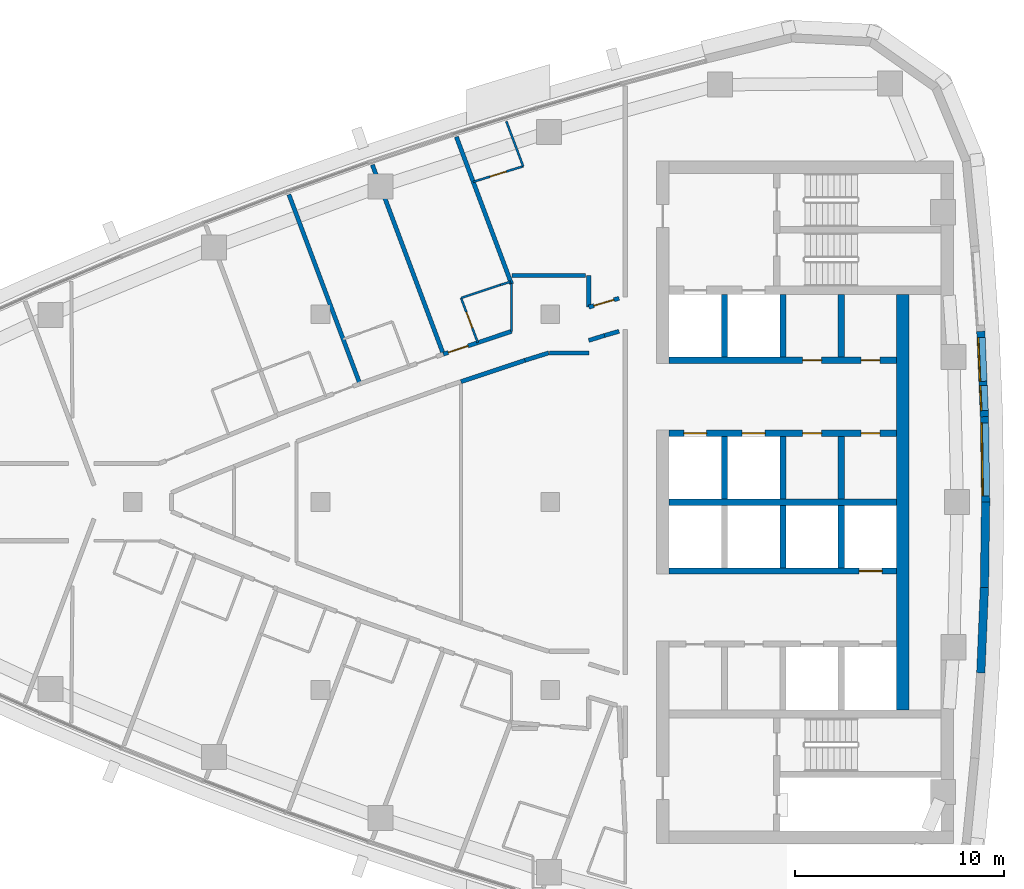
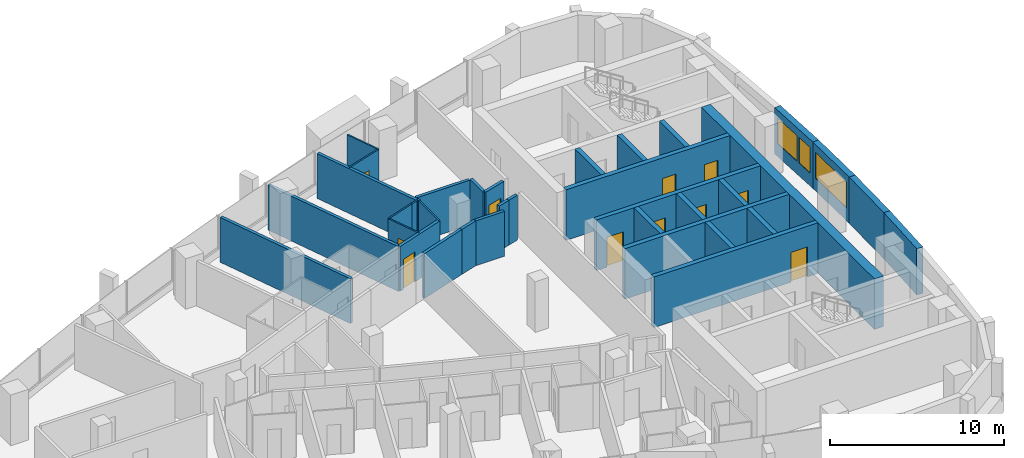
# One storey, part 11 of 16: 35 walls, 11 doors, 3 windows, 14 openings.
"""IFC4 building model written with IfcOpenShell, lengths in metres."""

from ifc_helpers import new_model, si_unit, direction, frame, frame_2d, origin, place, context, subcontext, project, spatial, polyline, rectangle, outline, extrude, material, layer, layer_set, type_object, element, fill, save


model = new_model("IFC4")

# Units and contexts
model_context = context("Model", 3, precision=1e-05, world=origin(), true_north=direction((0.0, 1.0)))
body_context = subcontext(model_context, "Body", "Model", "MODEL_VIEW")
ifc_project = project(units=[si_unit("LENGTHUNIT", "METRE"), si_unit("AREAUNIT", "SQUARE_METRE"), si_unit("VOLUMEUNIT", "CUBIC_METRE"), si_unit("PLANEANGLEUNIT", "RADIAN"), si_unit("MASSUNIT", "GRAM", prefix="KILO")], contexts=[model_context])

# Site, building, storey
site_placement = place(None, origin())
site = spatial("IfcSite", under=ifc_project, at=site_placement, CompositionType="ELEMENT")
building_placement = place(site_placement, origin())
building = spatial("IfcBuilding", under=site, at=building_placement, Name="Ostrand Prow Hotel Tower", CompositionType="ELEMENT")
storey_placement = place(building_placement, frame((0.0, 0.0, 252.75)))
storey = spatial("IfcBuildingStorey", under=building, at=storey_placement, Name="L64", CompositionType="ELEMENT", Elevation=252.75)

# Wall
ifc_material_1 = material(Name="Concrete C50/60", Category="concrete")
ifc_layer_1 = layer(ifc_material_1, 0.300048828125)
ifc_layer_set_1 = layer_set([ifc_layer_1], Name="Concrete C50/60")
wall_type_1 = type_object("IfcWallType", Name="Core wall 300 C50/60", PredefinedType="SHEAR", material=ifc_layer_set_1)
wall_1_placement = place(storey_placement, frame((50.699951171875, 0.0, 0.0), z_axis=(0.0, 0.0, 1.0), x_axis=(1.0, 0.0, 0.0)))
element("IfcWall", 1, at=wall_1_placement, inside=storey, type_object=wall_type_1, Name="Core wall PW-C", PredefinedType="SHEAR", context=body_context, shape_type="SweptSolid", body=[
    extrude(rectangle(XDim=10.900146484375, YDim=0.300048828125, at=frame_2d((5.4501953125, 0.0))), origin(), (0.0, 0.0, 1.0), 3.550048828125),
])

# Wall, openings, doors
wall_2_placement = place(storey_placement, frame((50.699951171875, 3.300048828125, 0.0), z_axis=(0.0, 0.0, 1.0), x_axis=(1.0, 0.0, 0.0)))
wall_2 = element("IfcWall", 2, at=wall_2_placement, inside=storey, type_object=wall_type_1, Name="Core wall PW-L1-N", PredefinedType="SHEAR", context=body_context, shape_type="SweptSolid", body=[
    extrude(rectangle(XDim=10.900146484375, YDim=0.300048828125, at=frame_2d((5.4501953125, 0.0))), origin(), (0.0, 0.0, 1.0), 3.550048828125),
])
opening_1_placement = place(wall_2_placement, frame((0.699951171875, 0.0, 0.0)))
opening_1 = element("IfcOpeningElement", 3, at=opening_1_placement, cuts=wall_2, Name="Opening LD", PredefinedType="OPENING", context=body_context, shape_type="SweptSolid", body=[
    extrude(rectangle(XDim=1.10009765625, YDim=2.10009765625, at=frame_2d((0.550048828125, 1.050048828125))), frame((0.0, 0.159912109375, 0.0), z_axis=(0.0, -1.0, 0.0), x_axis=(1.0, 0.0, 0.0)), (0.0, 0.0, 1.0), 0.320068359375),
])
opening_2_placement = place(wall_2_placement, frame((3.5, 0.0, 0.0)))
opening_2 = element("IfcOpeningElement", 4, at=opening_2_placement, cuts=wall_2, Name="Opening LD", PredefinedType="OPENING", context=body_context, shape_type="SweptSolid", body=[
    extrude(rectangle(XDim=1.10009765625, YDim=2.10009765625, at=frame_2d((0.550048828125, 1.050048828125))), frame((0.0, 0.159912109375, 0.0), z_axis=(0.0, -1.0, 0.0), x_axis=(1.0, 0.0, 0.0)), (0.0, 0.0, 1.0), 0.320068359375),
])
opening_3_placement = place(wall_2_placement, frame((6.39990234375, 0.0, 0.0)))
opening_3 = element("IfcOpeningElement", 5, at=opening_3_placement, cuts=wall_2, Name="Opening FD2", PredefinedType="OPENING", context=body_context, shape_type="SweptSolid", body=[
    extrude(rectangle(XDim=0.89990234375, YDim=2.10009765625, at=frame_2d((0.449951171875, 1.050048828125))), frame((0.0, 0.159912109375, 0.0), z_axis=(0.0, -1.0, 0.0), x_axis=(1.0, 0.0, 0.0)), (0.0, 0.0, 1.0), 0.320068359375),
])
opening_4_placement = place(wall_2_placement, frame((9.199951171875, 0.0, 0.0)))
opening_4 = element("IfcOpeningElement", 6, at=opening_4_placement, cuts=wall_2, Name="Opening FD2", PredefinedType="OPENING", context=body_context, shape_type="SweptSolid", body=[
    extrude(rectangle(XDim=0.89990234375, YDim=2.10009765625, at=frame_2d((0.449951171875, 1.050048828125))), frame((0.0, 0.159912109375, 0.0), z_axis=(0.0, -1.0, 0.0), x_axis=(1.0, 0.0, 0.0)), (0.0, 0.0, 1.0), 0.320068359375),
])
ifc_material_2 = material(Name="Steel fire door", Category="steel")
door_type_1 = type_object("IfcDoorType", Name="Fire door 900 EI120", OperationType="SINGLE_SWING_LEFT", PredefinedType="DOOR", material=ifc_material_2)
door_1_placement = place(opening_3_placement, origin())
door_1 = element("IfcDoor", 7, at=door_1_placement, inside=storey, type_object=door_type_1, Name="DOOR", OperationType="SINGLE_SWING_LEFT", OverallHeight=2.10009765625, OverallWidth=0.89990234375, PredefinedType="DOOR", context=body_context, shape_type="SweptSolid", body=[
    extrude(rectangle(XDim=0.89990234375, YDim=2.10009765625, at=frame_2d((0.449951171875, 1.050048828125))), frame((0.0, 0.02490234375, 0.0), z_axis=(0.0, -1.0, 0.0), x_axis=(1.0, 0.0, 0.0)), (0.0, 0.0, 1.0), 0.050048828125),
])
fill(opening_3, door_1)
door_2_placement = place(opening_4_placement, origin())
door_2 = element("IfcDoor", 8, at=door_2_placement, inside=storey, type_object=door_type_1, Name="DOOR", OperationType="SINGLE_SWING_LEFT", OverallHeight=2.10009765625, OverallWidth=0.89990234375, PredefinedType="DOOR", context=body_context, shape_type="SweptSolid", body=[
    extrude(rectangle(XDim=0.89990234375, YDim=2.10009765625, at=frame_2d((0.449951171875, 1.050048828125))), frame((0.0, 0.02490234375, 0.0), z_axis=(0.0, -1.0, 0.0), x_axis=(1.0, 0.0, 0.0)), (0.0, 0.0, 1.0), 0.050048828125),
])
fill(opening_4, door_2)
ifc_material_3 = material(Name="Stainless steel door", Category="steel")
door_type_2 = type_object("IfcDoorType", Name="Lift landing door 1100", OperationType="DOUBLE_DOOR_SLIDING", PredefinedType="DOOR", material=ifc_material_3)
door_3_placement = place(opening_1_placement, origin())
door_3 = element("IfcDoor", 9, at=door_3_placement, inside=storey, type_object=door_type_2, Name="LIFT LANDING DOOR", OperationType="DOUBLE_DOOR_SLIDING", OverallHeight=2.10009765625, OverallWidth=1.10009765625, PredefinedType="DOOR", context=body_context, shape_type="SweptSolid", body=[
    extrude(rectangle(XDim=1.10009765625, YDim=2.10009765625, at=frame_2d((0.550048828125, 1.050048828125))), frame((0.0, 0.02490234375, 0.0), z_axis=(0.0, -1.0, 0.0), x_axis=(1.0, 0.0, 0.0)), (0.0, 0.0, 1.0), 0.050048828125),
])
fill(opening_1, door_3)
door_4_placement = place(opening_2_placement, origin())
door_4 = element("IfcDoor", 10, at=door_4_placement, inside=storey, type_object=door_type_2, Name="LIFT LANDING DOOR", OperationType="DOUBLE_DOOR_SLIDING", OverallHeight=2.10009765625, OverallWidth=1.10009765625, PredefinedType="DOOR", context=body_context, shape_type="SweptSolid", body=[
    extrude(rectangle(XDim=1.10009765625, YDim=2.10009765625, at=frame_2d((0.550048828125, 1.050048828125))), frame((0.0, 0.02490234375, 0.0), z_axis=(0.0, -1.0, 0.0), x_axis=(1.0, 0.0, 0.0)), (0.0, 0.0, 1.0), 0.050048828125),
])
fill(opening_2, door_4)

wall_3_placement = place(storey_placement, frame((50.699951171875, 6.800048828125, 0.0), z_axis=(0.0, 0.0, 1.0), x_axis=(1.0, 0.0, 0.0)))
wall_3 = element("IfcWall", 11, at=wall_3_placement, inside=storey, type_object=wall_type_1, Name="Core wall PW-L2-N", PredefinedType="SHEAR", context=body_context, shape_type="SweptSolid", body=[
    extrude(rectangle(XDim=10.900146484375, YDim=0.300048828125, at=frame_2d((5.4501953125, 0.0))), origin(), (0.0, 0.0, 1.0), 3.550048828125),
])
opening_5_placement = place(wall_3_placement, frame((6.39990234375, 0.0, 0.0)))
opening_5 = element("IfcOpeningElement", 12, at=opening_5_placement, cuts=wall_3, Name="Opening FD2", PredefinedType="OPENING", context=body_context, shape_type="SweptSolid", body=[
    extrude(rectangle(XDim=0.89990234375, YDim=2.10009765625, at=frame_2d((0.449951171875, 1.050048828125))), frame((0.0, 0.159912109375, 0.0), z_axis=(0.0, -1.0, 0.0), x_axis=(1.0, 0.0, 0.0)), (0.0, 0.0, 1.0), 0.320068359375),
])
opening_6_placement = place(wall_3_placement, frame((9.199951171875, 0.0, 0.0)))
opening_6 = element("IfcOpeningElement", 13, at=opening_6_placement, cuts=wall_3, Name="Opening FD2", PredefinedType="OPENING", context=body_context, shape_type="SweptSolid", body=[
    extrude(rectangle(XDim=0.89990234375, YDim=2.10009765625, at=frame_2d((0.449951171875, 1.050048828125))), frame((0.0, 0.159912109375, 0.0), z_axis=(0.0, -1.0, 0.0), x_axis=(1.0, 0.0, 0.0)), (0.0, 0.0, 1.0), 0.320068359375),
])
door_5_placement = place(opening_5_placement, origin())
door_5 = element("IfcDoor", 14, at=door_5_placement, inside=storey, type_object=door_type_1, Name="DOOR", OperationType="SINGLE_SWING_LEFT", OverallHeight=2.10009765625, OverallWidth=0.89990234375, PredefinedType="DOOR", context=body_context, shape_type="SweptSolid", body=[
    extrude(rectangle(XDim=0.89990234375, YDim=2.10009765625, at=frame_2d((0.449951171875, 1.050048828125))), frame((0.0, 0.02490234375, 0.0), z_axis=(0.0, -1.0, 0.0), x_axis=(1.0, 0.0, 0.0)), (0.0, 0.0, 1.0), 0.050048828125),
])
fill(opening_5, door_5)
door_6_placement = place(opening_6_placement, origin())
door_6 = element("IfcDoor", 15, at=door_6_placement, inside=storey, type_object=door_type_1, Name="DOOR", OperationType="SINGLE_SWING_LEFT", OverallHeight=2.10009765625, OverallWidth=0.89990234375, PredefinedType="DOOR", context=body_context, shape_type="SweptSolid", body=[
    extrude(rectangle(XDim=0.89990234375, YDim=2.10009765625, at=frame_2d((0.449951171875, 1.050048828125))), frame((0.0, 0.02490234375, 0.0), z_axis=(0.0, -1.0, 0.0), x_axis=(1.0, 0.0, 0.0)), (0.0, 0.0, 1.0), 0.050048828125),
])
fill(opening_6, door_6)

# Walls
for number, where, z_axis, x_axis, name in (
    (16, (53.35009765625, 0.14990234375, 0.0), (0.0, 0.0, 1.0), (0.0, 1.0, 0.0), "Core wall PW-R1-NB"),
    (17, (53.35009765625, 6.949951171875, 0.0), (0.0, 0.0, 1.0), (0.0, 1.0, 0.0), "Core wall PW-R1-NA"),
    (18, (56.14990234375, 0.14990234375, 0.0), (0.0, 0.0, 1.0), (0.0, 1.0, 0.0), "Core wall PW-R2-NB"),
    (19, (56.14990234375, 6.949951171875, 0.0), (0.0, 0.0, 1.0), (0.0, 1.0, 0.0), "Core wall PW-R2-NA"),
    (20, (58.949951171875, 0.14990234375, 0.0), (0.0, 0.0, 1.0), (0.0, 1.0, 0.0), "Core wall PW-R3-NB"),
    (21, (58.949951171875, 6.949951171875, 0.0), (0.0, 0.0, 1.0), (0.0, 1.0, 0.0), "Core wall PW-R3-NA"),
):
    element("IfcWall", number, at=place(storey_placement, frame(where, z_axis=z_axis, x_axis=x_axis)), inside=storey, type_object=wall_type_1, Name=name, PredefinedType="SHEAR", context=body_context, shape_type="SweptSolid", body=[
        extrude(rectangle(XDim=3.0, YDim=0.300048828125, at=frame_2d((1.5, 0.0))), origin(), (0.0, 0.0, 1.0), 3.550048828125),
    ])

# Wall, opening, door
wall_4_placement = place(storey_placement, frame((50.699951171875, -3.300048828125, 0.0), z_axis=(0.0, 0.0, 1.0), x_axis=(1.0, 0.0, 0.0)))
wall_4 = element("IfcWall", 22, at=wall_4_placement, inside=storey, type_object=wall_type_1, Name="Core wall PW-L1-S", PredefinedType="SHEAR", context=body_context, shape_type="SweptSolid", body=[
    extrude(rectangle(XDim=10.900146484375, YDim=0.300048828125, at=frame_2d((5.4501953125, 0.0))), origin(), (0.0, 0.0, 1.0), 3.550048828125),
])
opening_7_placement = place(wall_4_placement, frame((9.10009765625, 0.0, 0.0)))
opening_7 = element("IfcOpeningElement", 23, at=opening_7_placement, cuts=wall_4, Name="Opening LD", PredefinedType="OPENING", context=body_context, shape_type="SweptSolid", body=[
    extrude(rectangle(XDim=1.10009765625, YDim=2.10009765625, at=frame_2d((0.550048828125, 1.050048828125))), frame((0.0, 0.159912109375, 0.0), z_axis=(0.0, -1.0, 0.0), x_axis=(1.0, 0.0, 0.0)), (0.0, 0.0, 1.0), 0.320068359375),
])
door_7_placement = place(opening_7_placement, origin())
door_7 = element("IfcDoor", 24, at=door_7_placement, inside=storey, type_object=door_type_2, Name="LIFT LANDING DOOR", OperationType="DOUBLE_DOOR_SLIDING", OverallHeight=2.10009765625, OverallWidth=1.10009765625, PredefinedType="DOOR", context=body_context, shape_type="SweptSolid", body=[
    extrude(rectangle(XDim=1.10009765625, YDim=2.10009765625, at=frame_2d((0.550048828125, 1.050048828125))), frame((0.0, 0.02490234375, 0.0), z_axis=(0.0, -1.0, 0.0), x_axis=(1.0, 0.0, 0.0)), (0.0, 0.0, 1.0), 0.050048828125),
])
fill(opening_7, door_7)

# Walls
for number, where, z_axis, x_axis, name in (
    (25, (56.14990234375, -3.14990234375, 0.0), (0.0, 0.0, 1.0), (0.0, 1.0, 0.0), "Core wall PW-R2-SB"),
    (26, (58.949951171875, -3.14990234375, 0.0), (0.0, 0.0, 1.0), (0.0, 1.0, 0.0), "Core wall PW-R3-SB"),
):
    element("IfcWall", number, at=place(storey_placement, frame(where, z_axis=z_axis, x_axis=x_axis)), inside=storey, type_object=wall_type_1, Name=name, PredefinedType="SHEAR", context=body_context, shape_type="SweptSolid", body=[
        extrude(rectangle(XDim=3.0, YDim=0.300048828125, at=frame_2d((1.5, 0.0))), origin(), (0.0, 0.0, 1.0), 3.550048828125),
    ])
ifc_material_4 = material(Name="Concrete C50/60", Category="concrete")
ifc_layer_2 = layer(ifc_material_4, 0.60009765625)
ifc_layer_set_2 = layer_set([ifc_layer_2], Name="Concrete C50/60")
wall_type_2 = type_object("IfcWallType", Name="Core wall 600 C50/60", PredefinedType="SHEAR", material=ifc_layer_set_2)
wall_5_placement = place(storey_placement, frame((61.89990234375, -9.949951171875, 0.0), z_axis=(0.0, 0.0, 1.0), x_axis=(0.0, 1.0, 0.0)))
element("IfcWall", 27, at=wall_5_placement, inside=storey, type_object=wall_type_2, Name="Core wall CW-E-C", PredefinedType="SHEAR", context=body_context, shape_type="SweptSolid", body=[
    extrude(rectangle(XDim=19.89990234375, YDim=0.60009765625, at=frame_2d((9.949951171875, 0.0))), origin(), (0.0, 0.0, 1.0), 3.550048828125),
])
ifc_material_5 = material(Name="Plasterboard partition")
ifc_layer_3 = layer(ifc_material_5, 0.10009765625)
ifc_layer_set_3 = layer_set([ifc_layer_3], Name="Plasterboard partition")
wall_type_3 = type_object("IfcWallType", Name="Partition 100 bathroom wall", PredefinedType="PARTITIONING", material=ifc_layer_set_3)
wall_6_placement = place(storey_placement, frame((40.731689453125, 9.778564453125, 0.0), z_axis=(0.0, 0.0, 1.0), x_axis=(0.948499248693, 0.316779379426, 0.0)))
element("IfcWall", 28, at=wall_6_placement, inside=storey, type_object=wall_type_3, Name="BATHROOM WALL", PredefinedType="PARTITIONING", context=body_context, shape_type="SweptSolid", body=[
    extrude(rectangle(XDim=1.991455078125, YDim=0.10009765625, at=frame_2d((0.99560546875, 0.0))), origin(), (0.0, 0.0, 1.0), 3.14990234375),
])
wall_7_placement = place(storey_placement, frame((42.62060546875, 10.409423828125, 0.0), z_axis=(0.0, 0.0, 1.0), x_axis=(0.954624465478, 0.297812239356, 0.0)))
element("IfcWall", 29, at=wall_7_placement, inside=storey, type_object=wall_type_3, Name="BATHROOM WALL", PredefinedType="PARTITIONING", context=body_context, shape_type="SweptSolid", body=[
    extrude(rectangle(XDim=0.5107421875, YDim=0.10009765625, at=frame_2d((0.25537109375, 0.0))), origin(), (0.0, 0.0, 1.0), 3.14990234375),
])

# Wall, opening, door
wall_8_placement = place(storey_placement, frame((41.53173828125, 7.645263671875, 0.0), z_axis=(0.0, 0.0, 1.0), x_axis=(-0.351146927505, 0.936320370014, 0.0)))
wall_8 = element("IfcWall", 30, at=wall_8_placement, inside=storey, type_object=wall_type_3, Name="BATHROOM WALL", PredefinedType="PARTITIONING", context=body_context, shape_type="SweptSolid", body=[
    extrude(rectangle(XDim=2.2783203125, YDim=0.10009765625, at=frame_2d((1.13916015625, 0.0))), origin(), (0.0, 0.0, 1.0), 3.14990234375),
])
opening_8_placement = place(wall_8_placement, frame((0.75, 0.0, 0.0)))
opening_8 = element("IfcOpeningElement", 31, at=opening_8_placement, cuts=wall_8, Name="Opening D2", PredefinedType="OPENING", context=body_context, shape_type="SweptSolid", body=[
    extrude(rectangle(XDim=0.800048828125, YDim=2.10009765625, at=frame_2d((0.39990234375, 1.050048828125))), frame((0.0, 0.06005859375, 0.0), z_axis=(0.0, -1.0, 0.0), x_axis=(1.0, 0.0, 0.0)), (0.0, 0.0, 1.0), 0.1201171875),
])
ifc_material_6 = material(Name="Timber door leaf", Category="wood")
door_type_3 = type_object("IfcDoorType", Name="Bathroom door 800", OperationType="SINGLE_SWING_LEFT", PredefinedType="DOOR", material=ifc_material_6)
door_8_placement = place(opening_8_placement, origin())
door_8 = element("IfcDoor", 32, at=door_8_placement, inside=storey, type_object=door_type_3, Name="DOOR", OperationType="SINGLE_SWING_LEFT", OverallHeight=2.10009765625, OverallWidth=0.800048828125, PredefinedType="DOOR", context=body_context, shape_type="SweptSolid", body=[
    extrude(rectangle(XDim=0.800048828125, YDim=2.10009765625, at=frame_2d((0.39990234375, 1.050048828125))), frame((0.0, 0.02490234375, 0.0), z_axis=(0.0, -1.0, 0.0), x_axis=(1.0, 0.0, 0.0)), (0.0, 0.0, 1.0), 0.050048828125),
])
fill(opening_8, door_8)

# Wall
wall_9_placement = place(storey_placement, frame((42.896240234375, 18.246826171875, 0.0), z_axis=(0.0, 0.0, 1.0), x_axis=(0.351111827312, -0.936333532841, 0.0)))
element("IfcWall", 33, at=wall_9_placement, inside=storey, type_object=wall_type_3, Name="BATHROOM WALL", PredefinedType="PARTITIONING", context=body_context, shape_type="SweptSolid", body=[
    extrude(rectangle(XDim=2.3037109375, YDim=0.10009765625, at=frame_2d((1.15185546875, 0.0))), origin(), (0.0, 0.0, 1.0), 3.14990234375),
])

# Wall, opening, door
wall_10_placement = place(storey_placement, frame((43.705078125, 16.08984375, 0.0), z_axis=(0.0, 0.0, 1.0), x_axis=(-0.954665433195, -0.297680887299, 0.0)))
wall_10 = element("IfcWall", 34, at=wall_10_placement, inside=storey, type_object=wall_type_3, Name="BATHROOM WALL", PredefinedType="PARTITIONING", context=body_context, shape_type="SweptSolid", body=[
    extrude(rectangle(XDim=2.50390625, YDim=0.10009765625, at=frame_2d((1.251953125, 0.0))), origin(), (0.0, 0.0, 1.0), 3.14990234375),
])
opening_9_placement = place(wall_10_placement, frame((0.85009765625, 0.0, 0.0)))
opening_9 = element("IfcOpeningElement", 35, at=opening_9_placement, cuts=wall_10, Name="Opening D2", PredefinedType="OPENING", context=body_context, shape_type="SweptSolid", body=[
    extrude(rectangle(XDim=0.800048828125, YDim=2.10009765625, at=frame_2d((0.39990234375, 1.050048828125))), frame((0.0, 0.06005859375, 0.0), z_axis=(0.0, -1.0, 0.0), x_axis=(1.0, 0.0, 0.0)), (0.0, 0.0, 1.0), 0.1201171875),
])
door_9_placement = place(opening_9_placement, origin())
door_9 = element("IfcDoor", 36, at=door_9_placement, inside=storey, type_object=door_type_3, Name="DOOR", OperationType="SINGLE_SWING_LEFT", OverallHeight=2.10009765625, OverallWidth=0.800048828125, PredefinedType="DOOR", context=body_context, shape_type="SweptSolid", body=[
    extrude(rectangle(XDim=0.800048828125, YDim=2.10009765625, at=frame_2d((0.39990234375, 1.050048828125))), frame((0.0, 0.02490234375, 0.0), z_axis=(0.0, -1.0, 0.0), x_axis=(1.0, 0.0, 0.0)), (0.0, 0.0, 1.0), 0.050048828125),
])
fill(opening_9, door_9)

# Wall
wall_11_placement = place(storey_placement, frame((43.14501953125, 10.46337890625, 0.0), z_axis=(0.0, 0.0, 1.0), x_axis=(0.0, -1.0, 0.0)))
element("IfcWall", 37, at=wall_11_placement, inside=storey, type_object=wall_type_3, Name="BATHROOM WALL", PredefinedType="PARTITIONING", context=body_context, shape_type="SweptSolid", body=[
    extrude(rectangle(XDim=2.29833984375, YDim=0.10009765625, at=frame_2d((1.149169921875, 0.0))), origin(), (0.0, 0.0, 1.0), 3.14990234375),
])

# Wall, opening, door
ifc_material_7 = material(Name="Plasterboard partition")
ifc_layer_4 = layer(ifc_material_7, 0.199951171875)
ifc_layer_set_4 = layer_set([ifc_layer_4], Name="Plasterboard partition")
wall_type_4 = type_object("IfcWallType", Name="Partition 200 corridor wall", PredefinedType="PARTITIONING", material=ifc_layer_set_4)
wall_12_placement = place(storey_placement, frame((43.14990234375, 8.1826171875, 0.0), z_axis=(0.0, 0.0, 1.0), x_axis=(-0.948477584784, -0.316844238013, 0.0)))
wall_12 = element("IfcWall", 38, at=wall_12_placement, inside=storey, type_object=wall_type_4, Name="CORRIDOR WALL", PredefinedType="PARTITIONING", context=body_context, shape_type="SweptSolid", body=[
    extrude(rectangle(XDim=3.445068359375, YDim=0.199951171875, at=frame_2d((1.72265625, 0.0))), origin(), (0.0, 0.0, 1.0), 3.14990234375),
])
opening_10_placement = place(wall_12_placement, frame((2.199951171875, 0.0, 0.0)))
opening_10 = element("IfcOpeningElement", 39, at=opening_10_placement, cuts=wall_12, Name="Opening D1", PredefinedType="OPENING", context=body_context, shape_type="SweptSolid", body=[
    extrude(rectangle(XDim=1.0, YDim=2.10009765625, at=frame_2d((0.5, 1.050048828125))), frame((0.0, 0.10986328125, 0.0), z_axis=(0.0, -1.0, 0.0), x_axis=(1.0, 0.0, 0.0)), (0.0, 0.0, 1.0), 0.219970703125),
])
ifc_material_8 = material(Name="Timber door leaf", Category="wood")
door_type_4 = type_object("IfcDoorType", Name="Guest room door 1000", OperationType="SINGLE_SWING_LEFT", PredefinedType="DOOR", material=ifc_material_8)
door_10_placement = place(opening_10_placement, origin())
door_10 = element("IfcDoor", 40, at=door_10_placement, inside=storey, type_object=door_type_4, Name="DOOR", OperationType="SINGLE_SWING_LEFT", OverallHeight=2.10009765625, OverallWidth=1.0, PredefinedType="DOOR", context=body_context, shape_type="SweptSolid", body=[
    extrude(rectangle(XDim=1.0, YDim=2.10009765625, at=frame_2d((0.5, 1.050048828125))), frame((0.0, 0.02490234375, 0.0), z_axis=(0.0, -1.0, 0.0), x_axis=(1.0, 0.0, 0.0)), (0.0, 0.0, 1.0), 0.050048828125),
])
fill(opening_10, door_10)

# Walls
wall_13_placement = place(storey_placement, frame((43.788330078125, 6.793212890625, 0.0), z_axis=(0.0, 0.0, 1.0), x_axis=(0.954693570678, 0.29759063511, 0.0)))
element("IfcWall", 41, at=wall_13_placement, inside=storey, type_object=wall_type_4, Name="CORRIDOR WALL", PredefinedType="PARTITIONING", context=body_context, shape_type="SweptSolid", body=[
    extrude(rectangle(XDim=1.198486328125, YDim=0.199951171875, at=frame_2d((0.59912109375, 0.0))), origin(), (0.0, 0.0, 1.0), 3.14990234375),
])
wall_14_placement = place(storey_placement, frame((46.85009765625, 7.747802734375, 0.0), z_axis=(0.0, 0.0, 1.0), x_axis=(0.95461224237, 0.297851417181, 0.0)))
element("IfcWall", 42, at=wall_14_placement, inside=storey, type_object=wall_type_4, Name="CORRIDOR WALL", PredefinedType="PARTITIONING", context=body_context, shape_type="SweptSolid", body=[
    extrude(rectangle(XDim=0.78759765625, YDim=0.199951171875, at=frame_2d((0.393798828125, 0.0))), origin(), (0.0, 0.0, 1.0), 3.14990234375),
])
wall_15_placement = place(storey_placement, frame((40.72509765625, 5.77001953125, 0.0), z_axis=(0.0, 0.0, 1.0), x_axis=(0.948486568618, 0.316817343515, 0.0)))
element("IfcWall", 43, at=wall_15_placement, inside=storey, type_object=wall_type_4, Name="CORRIDOR WALL", PredefinedType="PARTITIONING", context=body_context, shape_type="SweptSolid", body=[
    extrude(rectangle(XDim=3.2294921875, YDim=0.199951171875, at=frame_2d((1.61474609375, 0.0))), origin(), (0.0, 0.0, 1.0), 3.14990234375),
])

# Wall, opening, door
wall_16_placement = place(storey_placement, frame((48.300048828125, 9.76611328125, 0.0), z_axis=(0.0, 0.0, 1.0), x_axis=(-0.95944263903, -0.281903924079, 0.0)))
wall_16 = element("IfcWall", 44, at=wall_16_placement, inside=storey, type_object=wall_type_4, Name="CORRIDOR WALL", PredefinedType="PARTITIONING", context=body_context, shape_type="SweptSolid", body=[
    extrude(rectangle(XDim=1.51123046875, YDim=0.199951171875, at=frame_2d((0.755615234375, 0.0))), origin(), (0.0, 0.0, 1.0), 3.14990234375),
])
opening_11_placement = place(wall_16_placement, frame((0.256103515625, 0.0, 0.0)))
opening_11 = element("IfcOpeningElement", 45, at=opening_11_placement, cuts=wall_16, Name="Opening D1", PredefinedType="OPENING", context=body_context, shape_type="SweptSolid", body=[
    extrude(rectangle(XDim=1.0, YDim=2.10009765625, at=frame_2d((0.5, 1.050048828125))), frame((0.0, 0.10986328125, 0.0), z_axis=(0.0, -1.0, 0.0), x_axis=(1.0, 0.0, 0.0)), (0.0, 0.0, 1.0), 0.219970703125),
])
door_11_placement = place(opening_11_placement, origin())
door_11 = element("IfcDoor", 46, at=door_11_placement, inside=storey, type_object=door_type_4, Name="DOOR", OperationType="SINGLE_SWING_LEFT", OverallHeight=2.10009765625, OverallWidth=1.0, PredefinedType="DOOR", context=body_context, shape_type="SweptSolid", body=[
    extrude(rectangle(XDim=1.0, YDim=2.10009765625, at=frame_2d((0.5, 1.050048828125))), frame((0.0, 0.02490234375, 0.0), z_axis=(0.0, -1.0, 0.0), x_axis=(1.0, 0.0, 0.0)), (0.0, 0.0, 1.0), 0.050048828125),
])
fill(opening_11, door_11)

# Walls
wall_17_placement = place(storey_placement, frame((47.60205078125, 7.982421875, 0.0), z_axis=(0.0, 0.0, 1.0), x_axis=(0.960439023181, 0.278490363839, 0.0)))
element("IfcWall", 47, at=wall_17_placement, inside=storey, type_object=wall_type_4, Name="CORRIDOR WALL", PredefinedType="PARTITIONING", context=body_context, shape_type="SweptSolid", body=[
    extrude(rectangle(XDim=0.726806640625, YDim=0.199951171875, at=frame_2d((0.36328125, 0.0))), origin(), (0.0, 0.0, 1.0), 3.14990234375),
])
wall_18_placement = place(storey_placement, frame((44.972412109375, 7.14501953125, 0.0), z_axis=(0.0, 0.0, 1.0), x_axis=(0.99999999156, 0.000129920747, 0.0)))
element("IfcWall", 48, at=wall_18_placement, inside=storey, type_object=wall_type_4, Name="CORRIDOR WALL", PredefinedType="PARTITIONING", context=body_context, shape_type="SweptSolid", body=[
    extrude(rectangle(XDim=1.879150390625, YDim=0.199951171875, at=frame_2d((0.939453125, 0.0))), origin(), (0.0, 0.0, 1.0), 3.14990234375),
])
wall_19_placement = place(storey_placement, frame((46.85009765625, 9.340087890625, 0.0), z_axis=(0.0, 0.0, 1.0), x_axis=(0.000322320692, 0.999999948055, 0.0)))
element("IfcWall", 49, at=wall_19_placement, inside=storey, type_object=wall_type_4, Name="CORRIDOR WALL", PredefinedType="PARTITIONING", context=body_context, shape_type="SweptSolid", body=[
    extrude(rectangle(XDim=1.514892578125, YDim=0.199951171875, at=frame_2d((0.75732421875, 0.0))), origin(), (0.0, 0.0, 1.0), 3.14990234375),
])
ifc_material_9 = material(Name="Plasterboard partition")
ifc_layer_5 = layer(ifc_material_9, 0.199951171875)
ifc_layer_set_5 = layer_set([ifc_layer_5], Name="Plasterboard partition")
wall_type_5 = type_object("IfcWallType", Name="Partition 200 key partition", PredefinedType="PARTITIONING", material=ifc_layer_set_5)
wall_20_placement = place(storey_placement, frame((35.888916015625, 5.654296875, 0.0), z_axis=(0.0, 0.0, 1.0), x_axis=(-0.351117925717, 0.936331246002, 0.0)))
element("IfcWall", 50, at=wall_20_placement, inside=storey, type_object=wall_type_5, Name="KEY PARTITION", PredefinedType="PARTITIONING", context=body_context, shape_type="SweptSolid", body=[
    extrude(rectangle(XDim=9.701171875, YDim=0.199951171875, at=frame_2d((4.8505859375, 0.0))), origin(), (0.0, 0.0, 1.0), 3.14990234375),
])
wall_21_placement = place(storey_placement, frame((39.889404296875, 7.072265625, 0.0), z_axis=(0.0, 0.0, 1.0), x_axis=(-0.35112895446, 0.936327110224, 0.0)))
element("IfcWall", 51, at=wall_21_placement, inside=storey, type_object=wall_type_5, Name="KEY PARTITION", PredefinedType="PARTITIONING", context=body_context, shape_type="SweptSolid", body=[
    extrude(rectangle(XDim=9.706298828125, YDim=0.199951171875, at=frame_2d((4.85302734375, 0.0))), origin(), (0.0, 0.0, 1.0), 3.14990234375),
])
wall_22_placement = place(storey_placement, frame((43.14990234375, 10.449951171875, 0.0), z_axis=(0.0, 0.0, 1.0), x_axis=(-0.351119888923, 0.936330509811, 0.0)))
element("IfcWall", 52, at=wall_22_placement, inside=storey, type_object=wall_type_5, Name="KEY PARTITION", PredefinedType="PARTITIONING", context=body_context, shape_type="SweptSolid", body=[
    extrude(rectangle(XDim=7.531005859375, YDim=0.199951171875, at=frame_2d((3.765625, 0.0))), origin(), (0.0, 0.0, 1.0), 3.14990234375),
])
wall_23_placement = place(storey_placement, frame((43.16015625, 10.85009765625, 0.0), z_axis=(0.0, 0.0, 1.0), x_axis=(1.0, 0.0, 0.0)))
element("IfcWall", 53, at=wall_23_placement, inside=storey, type_object=wall_type_5, Name="KEY PARTITION", PredefinedType="PARTITIONING", context=body_context, shape_type="SweptSolid", body=[
    extrude(rectangle(XDim=3.540283203125, YDim=0.199951171875, at=frame_2d((1.77001953125, 0.0))), origin(), (0.0, 0.0, 1.0), 3.14990234375),
])
ifc_material_10 = material(Name="Precast concrete C40/50", Category="concrete")
ifc_layer_6 = layer(ifc_material_10, 0.39990234375)
ifc_layer_set_6 = layer_set([ifc_layer_6], Name="Precast concrete C40/50")
wall_type_6 = type_object("IfcWallType", Name="Stone-faced precast wall 400 mm", PredefinedType="NOTDEFINED", material=ifc_layer_set_6)
wall_24_placement = place(storey_placement, frame((65.630615234375, -8.181640625, 0.0), z_axis=(0.0, 0.0, 1.0), x_axis=(0.042352554594, 0.999102728011, 0.0)))
element("IfcWall", 54, at=wall_24_placement, inside=storey, type_object=wall_type_6, Name="Stone-faced wall back 7", PredefinedType="NOTDEFINED", context=body_context, shape_type="SweptSolid", body=[
    extrude(outline(polyline([(-0.002685546875, -0.199951171875), (4.095458984375, -0.199951171875), (4.090087890625, 0.199951171875), (0.002685546875, 0.199951171875), (-0.002685546875, -0.199951171875)])), origin(), (0.0, 0.0, 1.0), 3.25),
])
wall_25_placement = place(storey_placement, frame((65.803955078125, -4.092529296875, 0.0), z_axis=(0.0, 0.0, 1.0), x_axis=(0.014136867892, 0.99990006949, 0.0)))
element("IfcWall", 55, at=wall_25_placement, inside=storey, type_object=wall_type_6, Name="Stone-faced wall back 8", PredefinedType="NOTDEFINED", context=body_context, shape_type="SweptSolid", body=[
    extrude(outline(polyline([(-0.002685546875, -0.199951171875), (4.095703125, -0.199951171875), (4.09033203125, 0.199951171875), (0.002685546875, 0.199951171875), (-0.002685546875, -0.199951171875)])), origin(), (0.0, 0.0, 1.0), 3.25),
])

# Wall, opening, window
wall_26_placement = place(storey_placement, frame((65.86181640625, 0.0, 0.0), z_axis=(0.0, 0.0, 1.0), x_axis=(-0.014136867892, 0.99990006949, 0.0)))
wall_26 = element("IfcWall", 56, at=wall_26_placement, inside=storey, type_object=wall_type_6, Name="Stone-faced wall back 9", PredefinedType="NOTDEFINED", context=body_context, shape_type="SweptSolid", body=[
    extrude(outline(polyline([(-0.002685546875, -0.199951171875), (4.095703125, -0.199951171875), (4.09033203125, 0.199951171875), (0.002685546875, 0.199951171875), (-0.002685546875, -0.199951171875)])), origin(), (0.0, 0.0, 1.0), 3.25),
])
opening_12_placement = place(wall_26_placement, frame((0.29638671875, 0.0, 0.89990234375)))
opening_12 = element("IfcOpeningElement", 57, at=opening_12_placement, cuts=wall_26, Name="Opening WS3-35", PredefinedType="OPENING", context=body_context, shape_type="SweptSolid", body=[
    extrude(rectangle(XDim=3.5, YDim=1.800048828125, at=frame_2d((1.75, 0.89990234375))), frame((0.0, 0.2099609375, 0.0), z_axis=(0.0, -1.0, 0.0), x_axis=(1.0, 0.0, 0.0)), (0.0, 0.0, 1.0), 0.419921875),
])
ifc_material_11 = material(Name="Insulated glass in bronze frame", Category="glass")
window_type_1 = type_object("IfcWindowType", Name="Strip window 3500x1800", PartitioningType="SINGLE_PANEL", PredefinedType="WINDOW", material=ifc_material_11)
window_1_placement = place(opening_12_placement, origin())
window_1 = element("IfcWindow", 58, at=window_1_placement, inside=storey, type_object=window_type_1, Name="Window back 9.1", OverallHeight=1.800048828125, OverallWidth=3.5, PartitioningType="SINGLE_PANEL", PredefinedType="WINDOW", context=body_context, shape_type="SweptSolid", body=[
    extrude(rectangle(XDim=3.5, YDim=1.800048828125, at=frame_2d((1.75, 0.89990234375))), frame((0.0, 0.169921875, 0.0), z_axis=(0.0, -1.0, 0.0), x_axis=(1.0, 0.0, 0.0)), (0.0, 0.0, 1.0), 0.06005859375),
])
fill(opening_12, window_1)

# Wall, openings, windows
wall_27_placement = place(storey_placement, frame((65.803955078125, 4.092529296875, 0.0), z_axis=(0.0, 0.0, 1.0), x_axis=(-0.042352554594, 0.999102728011, 0.0)))
wall_27 = element("IfcWall", 59, at=wall_27_placement, inside=storey, type_object=wall_type_6, Name="Stone-faced wall back 10", PredefinedType="NOTDEFINED", context=body_context, shape_type="SweptSolid", body=[
    extrude(outline(polyline([(-0.002685546875, -0.199951171875), (4.095458984375, -0.199951171875), (4.090087890625, 0.199951171875), (0.002685546875, 0.199951171875), (-0.002685546875, -0.199951171875)])), origin(), (0.0, 0.0, 1.0), 3.25),
])
opening_13_placement = place(wall_27_placement, frame((0.29638671875, 0.0, 0.89990234375)))
opening_13 = element("IfcOpeningElement", 60, at=opening_13_placement, cuts=wall_27, Name="Opening WS4", PredefinedType="OPENING", context=body_context, shape_type="SweptSolid", body=[
    extrude(rectangle(XDim=1.199951171875, YDim=1.800048828125, at=frame_2d((0.60009765625, 0.89990234375))), frame((0.0, 0.2099609375, 0.0), z_axis=(0.0, -1.0, 0.0), x_axis=(1.0, 0.0, 0.0)), (0.0, 0.0, 1.0), 0.419921875),
])
opening_14_placement = place(wall_27_placement, frame((1.696533203125, 0.0, 0.89990234375)))
opening_14 = element("IfcOpeningElement", 61, at=opening_14_placement, cuts=wall_27, Name="Opening WS5-21", PredefinedType="OPENING", context=body_context, shape_type="SweptSolid", body=[
    extrude(rectangle(XDim=2.10009765625, YDim=1.800048828125, at=frame_2d((1.050048828125, 0.89990234375))), frame((0.0, 0.2099609375, 0.0), z_axis=(0.0, -1.0, 0.0), x_axis=(1.0, 0.0, 0.0)), (0.0, 0.0, 1.0), 0.419921875),
])
ifc_material_12 = material(Name="Insulated glass in bronze frame", Category="glass")
window_type_2 = type_object("IfcWindowType", Name="Fixed strip window 2100x1800", PartitioningType="SINGLE_PANEL", PredefinedType="WINDOW", material=ifc_material_12)
window_2_placement = place(opening_14_placement, origin())
window_2 = element("IfcWindow", 62, at=window_2_placement, inside=storey, type_object=window_type_2, Name="Window back 10.2", OverallHeight=1.800048828125, OverallWidth=2.10009765625, PartitioningType="SINGLE_PANEL", PredefinedType="WINDOW", context=body_context, shape_type="SweptSolid", body=[
    extrude(rectangle(XDim=2.10009765625, YDim=1.800048828125, at=frame_2d((1.050048828125, 0.89990234375))), frame((0.0, 0.169921875, 0.0), z_axis=(0.0, -1.0, 0.0), x_axis=(1.0, 0.0, 0.0)), (0.0, 0.0, 1.0), 0.06005859375),
])
fill(opening_14, window_2)
ifc_material_13 = material(Name="Insulated glass in bronze frame", Category="glass")
window_type_3 = type_object("IfcWindowType", Name="Operable strip panel 1200x1800", PartitioningType="SINGLE_PANEL", PredefinedType="WINDOW", material=ifc_material_13)
window_3_placement = place(opening_13_placement, origin())
window_3 = element("IfcWindow", 63, at=window_3_placement, inside=storey, type_object=window_type_3, Name="Window back 10.1", OverallHeight=1.800048828125, OverallWidth=1.199951171875, PartitioningType="SINGLE_PANEL", PredefinedType="WINDOW", context=body_context, shape_type="SweptSolid", body=[
    extrude(rectangle(XDim=1.199951171875, YDim=1.800048828125, at=frame_2d((0.60009765625, 0.89990234375))), frame((0.0, 0.169921875, 0.0), z_axis=(0.0, -1.0, 0.0), x_axis=(1.0, 0.0, 0.0)), (0.0, 0.0, 1.0), 0.06005859375),
])
fill(opening_13, window_3)

save(model, "model.ifc")
